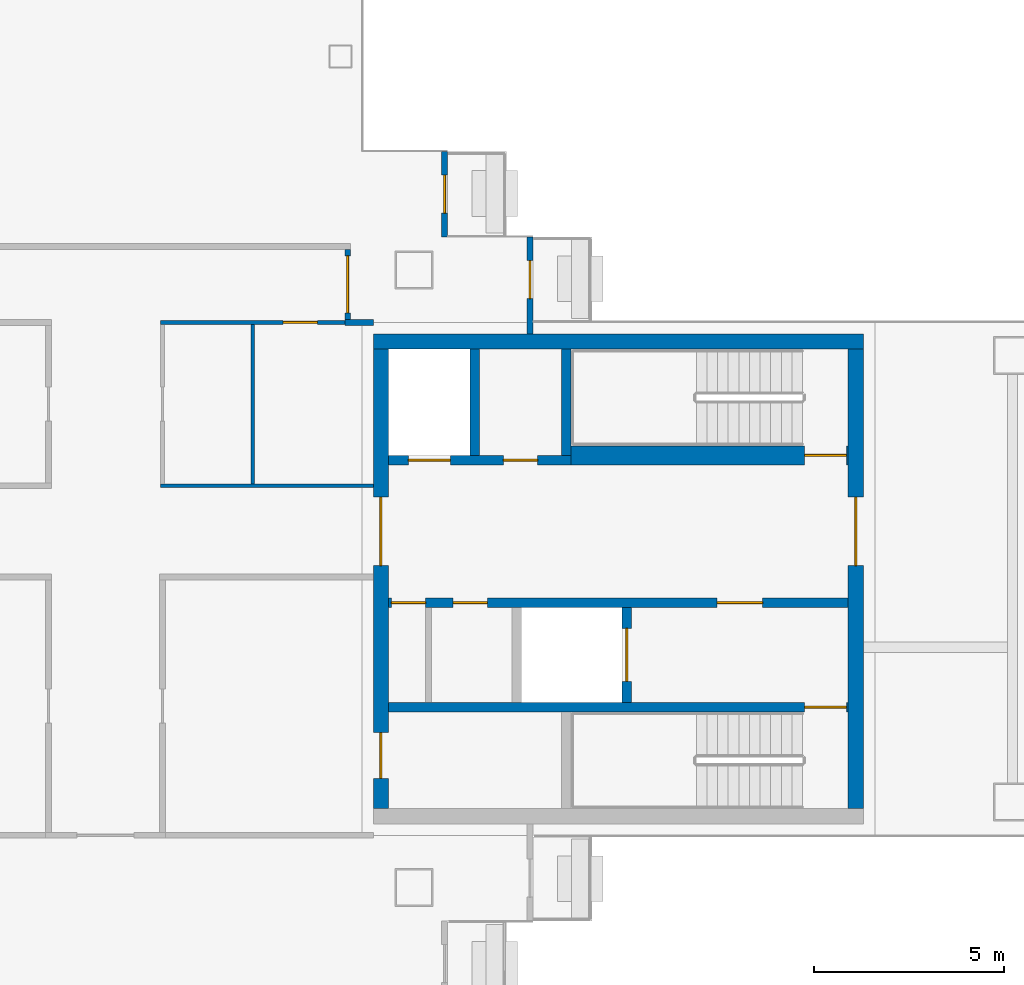
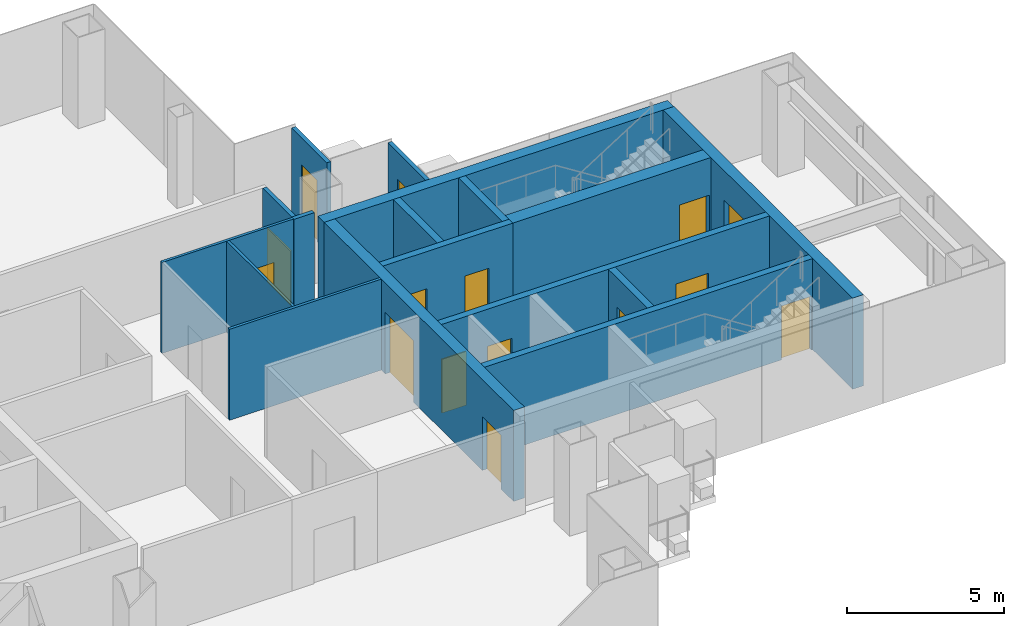
# One storey, part 12 of 16: 17 walls, 15 doors, 15 openings.
"""IFC4 building model written with IfcOpenShell, lengths in metres."""

import ifcopenshell
import ifcopenshell.guid

model = None  # the IFC model being written
_history = None  # IfcOwnerHistory: only IFC2X3 demands one
_inside = {}  # id of a spatial element -> (the spatial element, [elements in it])
_under = {}  # id of a project, library or spatial element -> (it, [spatial elements below it])
_declared = {}  # id of a project -> (the project, [libraries it declares])
_typed = {}  # id of a type object -> (the type object, [elements of that type])
_made_of = {}  # id of a material, layer set ... -> (it, [elements and type objects made of it])


def new_model(schema):
    """Start an empty IFC model of exactly this schema.

    Asked for "IFC4X3", IfcOpenShell would pick the latest addendum, in which some entities
    have other attributes; the version numbers below select the first issue.
    IFC2X3 requires an IfcOwnerHistory on every rooted entity: one is made here for all.
    """
    global model, _history
    if schema == "IFC4X3":
        model = ifcopenshell.file(schema_version=(4, 3, 0, 0))
    else:
        model = ifcopenshell.file(schema=schema)
    _inside.clear()
    _under.clear()
    _declared.clear()
    _typed.clear()
    _made_of.clear()
    _history = None
    if model.schema == "IFC2X3":
        org = make("IfcOrganization", Name="unknown")
        user = make(
            "IfcPersonAndOrganization",
            ThePerson=make("IfcPerson", FamilyName="unknown"),
            TheOrganization=org,
        )
        app = make(
            "IfcApplication",
            ApplicationDeveloper=org,
            Version="unknown",
            ApplicationFullName="unknown",
            ApplicationIdentifier="unknown",
        )
        _history = make(
            "IfcOwnerHistory",
            OwningUser=user,
            OwningApplication=app,
            ChangeAction="ADDED",
            CreationDate=0,
        )
    return model


def make(cls, **values):
    """One entity of the class cls with the attributes given. An attribute that is None is left unset."""
    return model.create_entity(
        cls, **{name: value for name, value in values.items() if value is not None}
    )


def rooted(cls, **values):
    """An entity with a GlobalId (a new one), such as an element, a storey or a relation."""
    return make(cls, GlobalId=ifcopenshell.guid.new(), OwnerHistory=_history, **values)


def si_unit(unit_type, name, prefix=None):
    """IfcSIUnit, for example si_unit("LENGTHUNIT", "METRE", prefix="MILLI")."""
    return make("IfcSIUnit", UnitType=unit_type, Prefix=prefix, Name=name)


def assignment(units):
    """IfcUnitAssignment: the units of a project."""
    return None if units is None else make("IfcUnitAssignment", Units=units)


def point(xyz):
    """IfcCartesianPoint."""
    return None if xyz is None else make("IfcCartesianPoint", Coordinates=xyz)


def direction(xyz):
    """IfcDirection."""
    return None if xyz is None else make("IfcDirection", DirectionRatios=xyz)


def frame(location, z_axis=None, x_axis=None):
    """IfcAxis2Placement3D, a coordinate frame: its origin and axes. An axis left out is left unset."""
    return make(
        "IfcAxis2Placement3D",
        Location=point(location),
        Axis=direction(z_axis),
        RefDirection=direction(x_axis),
    )


def frame_2d(location, x_axis=None):
    """IfcAxis2Placement2D, a coordinate frame in the plane: its origin and x axis."""
    return make(
        "IfcAxis2Placement2D", Location=point(location), RefDirection=direction(x_axis)
    )


def origin():
    """The frame at (0, 0, 0) with its axes left unset."""
    return frame((0.0, 0.0, 0.0))


def place(relative_to, where):
    """IfcLocalPlacement: puts the frame where relative to a parent placement (None: the world)."""
    return make(
        "IfcLocalPlacement", PlacementRelTo=relative_to, RelativePlacement=where
    )


def context(
    kind, dimensions, precision=None, world=None, true_north=None, identifier=None
):
    """IfcGeometricRepresentationContext, for example the 3D "Model" context."""
    return make(
        "IfcGeometricRepresentationContext",
        ContextIdentifier=identifier,
        ContextType=kind,
        CoordinateSpaceDimension=dimensions,
        Precision=precision,
        WorldCoordinateSystem=world,
        TrueNorth=true_north,
    )


def subcontext(parent, identifier, kind, view, scale=None):
    """IfcGeometricRepresentationSubContext, for example "Body" below "Model"."""
    return make(
        "IfcGeometricRepresentationSubContext",
        ContextIdentifier=identifier,
        ContextType=kind,
        ParentContext=parent,
        TargetScale=scale,
        TargetView=view,
    )


def project(units=None, contexts=None):
    """IfcProject with its units and contexts."""
    return rooted(
        "IfcProject",
        Name="project",
        RepresentationContexts=contexts,
        UnitsInContext=assignment(units),
    )


def spatial(cls, under=None, at=None, **own):
    """A site, building, storey or space (cls), placed at a placement, below another one or the project."""
    s = rooted(cls, ObjectPlacement=at, **own)
    if under is not None:
        _under.setdefault(under.id(), (under, []))[1].append(s)
    return s


def profile(cls, at=None, kind="AREA", **sizes):
    """A parametric profile (cls). Its sizes go by their IFC names, for example OverallWidth=200.0."""
    return make(cls, ProfileType=kind, Position=at, **sizes)


def rectangle(**sizes):
    """IfcRectangleProfileDef."""
    return profile("IfcRectangleProfileDef", **sizes)


def extrude(swept, where, along, depth):
    """IfcExtrudedAreaSolid: the profile swept, set in the frame where, extruded along a direction by depth."""
    return make(
        "IfcExtrudedAreaSolid",
        SweptArea=swept,
        Position=where,
        ExtrudedDirection=direction(along),
        Depth=depth,
    )


def shape(context_of_items, identifier, shape_type, items):
    """IfcShapeRepresentation: the items that make up one representation, for example the "Body"."""
    return make(
        "IfcShapeRepresentation",
        ContextOfItems=context_of_items,
        RepresentationIdentifier=identifier,
        RepresentationType=shape_type,
        Items=items,
    )


def material(Name=None, Category=None):
    """IfcMaterial."""
    return make("IfcMaterial", Name=Name, Category=Category)


def layer(
    of_material, thickness, ventilated=None, Name=None, Category=None, Priority=None
):
    """IfcMaterialLayer: one layer of a wall or slab, of a material (None: an air gap)."""
    return make(
        "IfcMaterialLayer",
        Material=of_material,
        LayerThickness=thickness,
        IsVentilated=ventilated,
        Name=Name,
        Category=Category,
        Priority=Priority,
    )


def layer_set(layers, Name=None):
    """IfcMaterialLayerSet."""
    return make("IfcMaterialLayerSet", MaterialLayers=layers, LayerSetName=Name)


def made_of(thing, what):
    """Note that an element or type object is made of a material, layer set ...; save() writes the relation."""
    if what is not None:
        _made_of.setdefault(what.id(), (what, []))[1].append(thing)
    return thing


def type_object(cls, material=None, **own):
    """A type object (cls), such as IfcWallType, which elements share."""
    return made_of(rooted(cls, **own), material)


def element(
    cls,
    number,
    at=None,
    inside=None,
    cuts=None,
    type_object=None,
    material=None,
    context=None,
    identifier="Body",
    shape_type=None,
    held_by="IfcProductDefinitionShape",
    body=None,
    shapes=None,
    **own,
):
    """One element of the class cls, such as IfcWall. Its Tag is "e" and its number.

    at: its placement. inside: the storey or other place that contains it. cuts: it is an
    opening in that element (IfcRelVoidsElement). A single representation is given by context,
    identifier, shape_type and body (its items); several are given by shapes. held_by: the class
    of the entity that holds the representations. save() writes the other relations.
    """
    e = rooted(cls, Tag="e%d" % number, ObjectPlacement=at, **own)
    if body is not None:
        shapes = [shape(context, identifier, shape_type, body)]
    if shapes is not None:
        e.Representation = make(held_by, Representations=shapes)
    if inside is not None:
        _inside.setdefault(inside.id(), (inside, []))[1].append(e)
    if cuts is not None:
        rooted(
            "IfcRelVoidsElement", RelatingBuildingElement=cuts, RelatedOpeningElement=e
        )
    if type_object is not None:
        _typed.setdefault(type_object.id(), (type_object, []))[1].append(e)
    return made_of(e, material)


def fill(opening, filler):
    """IfcRelFillsElement: the door or window that sits in an opening."""
    return rooted(
        "IfcRelFillsElement",
        RelatingOpeningElement=opening,
        RelatedBuildingElement=filler,
    )


def aggregate(whole, parts):
    """IfcRelAggregates: a whole, such as a stair, and the parts it consists of."""
    return rooted("IfcRelAggregates", RelatingObject=whole, RelatedObjects=parts)


def save(model, path):
    """Write the relations noted so far, then the file.

    IfcRelAggregates (storeys below a building ...), IfcRelContainedInSpatialStructure (elements
    in a storey), IfcRelDefinesByType, IfcRelAssociatesMaterial and IfcRelDeclares: one each for
    every whole, place, type object, material and project.
    """
    for whole, parts in _under.values():
        aggregate(whole, parts)
    for where, things in _inside.values():
        rooted(
            "IfcRelContainedInSpatialStructure",
            RelatedElements=things,
            RelatingStructure=where,
        )
    for kind, things in _typed.values():
        rooted("IfcRelDefinesByType", RelatedObjects=things, RelatingType=kind)
    for what, things in _made_of.values():
        rooted("IfcRelAssociatesMaterial", RelatedObjects=things, RelatingMaterial=what)
    for by, libraries in _declared.values():
        rooted("IfcRelDeclares", RelatingContext=by, RelatedDefinitions=libraries)
    model.write(path)


model = new_model("IFC4")

# Units and contexts
model_context = context("Model", 3, precision=1e-05, world=origin(), true_north=direction((0.0, 1.0)))
body_context = subcontext(model_context, "Body", "Model", "MODEL_VIEW")
ifc_project = project(units=[si_unit("LENGTHUNIT", "METRE"), si_unit("AREAUNIT", "SQUARE_METRE"), si_unit("VOLUMEUNIT", "CUBIC_METRE"), si_unit("PLANEANGLEUNIT", "RADIAN"), si_unit("MASSUNIT", "GRAM", prefix="KILO")], contexts=[model_context])

# Site, building, storey
site_placement = place(None, origin())
site = spatial("IfcSite", under=ifc_project, at=site_placement, CompositionType="ELEMENT")
building_placement = place(site_placement, origin())
building = spatial("IfcBuilding", under=site, at=building_placement, Name="Shamsa Quay Exchange Towers", CompositionType="ELEMENT")
storey_placement = place(building_placement, frame((0.0, 0.0, 210.0)))
storey = spatial("IfcBuildingStorey", under=building, at=storey_placement, Name="L50", CompositionType="ELEMENT", Elevation=210.0)

# Wall, opening, door
ifc_material_1 = material(Name="Aluminium EN AW-6063 T6, black anodised, with black enamelled glass infill", Category="aluminium")
ifc_layer_1 = layer(ifc_material_1, 0.14990234375)
ifc_layer_set_1 = layer_set([ifc_layer_1], Name="BALCONY DOOR BAY WALL 150")
wall_type_1 = type_object("IfcWallType", Name="BALCONY DOOR BAY WALL 150", PredefinedType="SOLIDWALL", material=ifc_layer_set_1)
wall_1_placement = place(storey_placement, frame((42.675048828125, 11.25, 0.0), z_axis=(0.0, 0.0, 1.0), x_axis=(0.0, -1.0, 0.0)))
wall_1 = element("IfcWall", 1, at=wall_1_placement, inside=storey, type_object=wall_type_1, Name="Door bay T2-PKES L50", PredefinedType="SOLIDWALL", context=body_context, shape_type="SweptSolid", body=[
    extrude(rectangle(XDim=2.25, YDim=0.14990234375, at=frame_2d((1.125, 0.0))), origin(), (0.0, 0.0, 1.0), 3.449951171875),
])
opening_1_placement = place(wall_1_placement, frame((0.625, 0.0, 0.0)))
opening_1 = element("IfcOpeningElement", 2, at=opening_1_placement, cuts=wall_1, Name="Opening XD331", PredefinedType="OPENING", context=body_context, shape_type="SweptSolid", body=[
    extrude(rectangle(XDim=1.0, YDim=2.39990234375, at=frame_2d((0.5, 1.199951171875))), frame((0.0, 0.0849609375, 0.0), z_axis=(0.0, -1.0, 0.0), x_axis=(1.0, 0.0, 0.0)), (0.0, 0.0, 1.0), 0.169921875),
])
ifc_material_2 = material(Name="Aluminium EN AW-6063 T6, black anodised, with laminated glass leaf", Category="aluminium")
door_type_1 = type_object("IfcDoorType", Name="BALCONY DOOR 1000x2400", OperationType="SINGLE_SWING_LEFT", PredefinedType="DOOR", material=ifc_material_2)
door_1_placement = place(opening_1_placement, origin())
door_1 = element("IfcDoor", 3, at=door_1_placement, inside=storey, type_object=door_type_1, Name="Balcony door T2-PKES L50", OperationType="SINGLE_SWING_RIGHT", OverallHeight=2.39990234375, OverallWidth=1.0, PredefinedType="DOOR", context=body_context, shape_type="SweptSolid", body=[
    extrude(rectangle(XDim=1.0, YDim=2.39990234375, at=frame_2d((0.5, 1.199951171875))), frame((0.0, 0.02490234375, 0.0), z_axis=(0.0, -1.0, 0.0), x_axis=(1.0, 0.0, 0.0)), (0.0, 0.0, 1.0), 0.050048828125),
])
fill(opening_1, door_1)

wall_2_placement = place(storey_placement, frame((44.925048828125, 9.0, 0.0), z_axis=(0.0, 0.0, 1.0), x_axis=(0.0, -1.0, 0.0)))
wall_2 = element("IfcWall", 4, at=wall_2_placement, inside=storey, type_object=wall_type_1, Name="Door bay T2-PKES L50", PredefinedType="SOLIDWALL", context=body_context, shape_type="SweptSolid", body=[
    extrude(rectangle(XDim=2.556884765625, YDim=0.14990234375, at=frame_2d((1.2783203125, 0.0))), origin(), (0.0, 0.0, 1.0), 3.449951171875),
])
opening_2_placement = place(wall_2_placement, frame((0.625, 0.0, 0.0)))
opening_2 = element("IfcOpeningElement", 5, at=opening_2_placement, cuts=wall_2, Name="Opening XD332", PredefinedType="OPENING", context=body_context, shape_type="SweptSolid", body=[
    extrude(rectangle(XDim=1.0, YDim=2.39990234375, at=frame_2d((0.5, 1.199951171875))), frame((0.0, 0.0849609375, 0.0), z_axis=(0.0, -1.0, 0.0), x_axis=(1.0, 0.0, 0.0)), (0.0, 0.0, 1.0), 0.169921875),
])
door_2_placement = place(opening_2_placement, origin())
door_2 = element("IfcDoor", 6, at=door_2_placement, inside=storey, type_object=door_type_1, Name="Balcony door T2-PKES L50", OperationType="SINGLE_SWING_LEFT", OverallHeight=2.39990234375, OverallWidth=1.0, PredefinedType="DOOR", context=body_context, shape_type="SweptSolid", body=[
    extrude(rectangle(XDim=1.0, YDim=2.39990234375, at=frame_2d((0.5, 1.199951171875))), frame((0.0, 0.02490234375, 0.0), z_axis=(0.0, -1.0, 0.0), x_axis=(1.0, 0.0, 0.0)), (0.0, 0.0, 1.0), 0.050048828125),
])
fill(opening_2, door_2)

# Wall
ifc_material_3 = material(Name="Concrete C60/75", Category="concrete")
ifc_layer_2 = layer(ifc_material_3, 0.39990234375)
ifc_layer_set_2 = layer_set([ifc_layer_2], Name="CORE WALL 400 C60/75")
wall_type_2 = type_object("IfcWallType", Name="CORE WALL 400 C60/75", PredefinedType="SHEAR", material=ifc_layer_set_2)
wall_3_placement = place(storey_placement, frame((53.699951171875, 6.25, 0.0), z_axis=(0.0, 0.0, 1.0), x_axis=(-1.0, 0.0, 0.0)))
element("IfcWall", 7, at=wall_3_placement, inside=storey, type_object=wall_type_2, Name="Core wall T2B-R23-PN", PredefinedType="SHEAR", context=body_context, shape_type="SweptSolid", body=[
    extrude(rectangle(XDim=12.89990234375, YDim=0.39990234375, at=frame_2d((6.449951171875, 0.0))), origin(), (0.0, 0.0, 1.0), 3.550048828125),
])

# Wall, opening, door
wall_4_placement = place(storey_placement, frame((53.5, -6.050048828125, 0.0), z_axis=(0.0, 0.0, 1.0), x_axis=(0.0, 1.0, 0.0)))
wall_4 = element("IfcWall", 8, at=wall_4_placement, inside=storey, type_object=wall_type_2, Name="Core wall T2B-R23-PF", PredefinedType="SHEAR", context=body_context, shape_type="SweptSolid", body=[
    extrude(rectangle(XDim=12.10009765625, YDim=0.39990234375, at=frame_2d((6.050048828125, 0.0))), origin(), (0.0, 0.0, 1.0), 3.550048828125),
])
opening_3_placement = place(wall_4_placement, frame((6.39990234375, 0.0, 0.0)))
opening_3 = element("IfcOpeningElement", 9, at=opening_3_placement, cuts=wall_4, Name="Opening T2B-R23-LBD01", PredefinedType="OPENING", context=body_context, shape_type="SweptSolid", body=[
    extrude(rectangle(XDim=1.800048828125, YDim=2.39990234375, at=frame_2d((0.89990234375, 1.199951171875))), frame((0.0, 0.2099609375, 0.0), z_axis=(0.0, -1.0, 0.0), x_axis=(1.0, 0.0, 0.0)), (0.0, 0.0, 1.0), 0.419921875),
])
ifc_material_4 = material(Name="Steel, fire rated", Category="steel")
door_type_2 = type_object("IfcDoorType", Name="LIFT LOBBY DOOR PAIR 1800", OperationType="DOUBLE_DOOR_SINGLE_SWING", PredefinedType="DOOR", material=ifc_material_4)
door_3_placement = place(opening_3_placement, origin())
door_3 = element("IfcDoor", 10, at=door_3_placement, inside=storey, type_object=door_type_2, Name="T2B-R23-LBD01", OperationType="DOUBLE_DOOR_SINGLE_SWING", OverallHeight=2.39990234375, OverallWidth=1.800048828125, PredefinedType="DOOR", context=body_context, shape_type="SweptSolid", body=[
    extrude(rectangle(XDim=1.800048828125, YDim=2.39990234375, at=frame_2d((0.89990234375, 1.199951171875))), frame((0.0, 0.02490234375, 0.0), z_axis=(0.0, -1.0, 0.0), x_axis=(1.0, 0.0, 0.0)), (0.0, 0.0, 1.0), 0.050048828125),
])
fill(opening_3, door_3)

# Wall, openings, doors
wall_5_placement = place(storey_placement, frame((41.0, -6.050048828125, 0.0), z_axis=(0.0, 0.0, 1.0), x_axis=(0.0, 1.0, 0.0)))
wall_5 = element("IfcWall", 11, at=wall_5_placement, inside=storey, type_object=wall_type_2, Name="Core wall T2B-R23-PB", PredefinedType="SHEAR", context=body_context, shape_type="SweptSolid", body=[
    extrude(rectangle(XDim=12.10009765625, YDim=0.39990234375, at=frame_2d((6.050048828125, 0.0))), origin(), (0.0, 0.0, 1.0), 3.550048828125),
])
opening_4_placement = place(wall_5_placement, frame((0.800048828125, 0.0, 0.0)))
opening_4 = element("IfcOpeningElement", 12, at=opening_4_placement, cuts=wall_5, Name="Opening T2B-R23-RD02", PredefinedType="OPENING", context=body_context, shape_type="SweptSolid", body=[
    extrude(rectangle(XDim=1.199951171875, YDim=2.10009765625, at=frame_2d((0.60009765625, 1.050048828125))), frame((0.0, 0.2099609375, 0.0), z_axis=(0.0, -1.0, 0.0), x_axis=(1.0, 0.0, 0.0)), (0.0, 0.0, 1.0), 0.419921875),
])
opening_5_placement = place(wall_5_placement, frame((6.39990234375, 0.0, 0.0)))
opening_5 = element("IfcOpeningElement", 13, at=opening_5_placement, cuts=wall_5, Name="Opening T2B-R23-LBD03", PredefinedType="OPENING", context=body_context, shape_type="SweptSolid", body=[
    extrude(rectangle(XDim=1.800048828125, YDim=2.39990234375, at=frame_2d((0.89990234375, 1.199951171875))), frame((0.0, 0.2099609375, 0.0), z_axis=(0.0, -1.0, 0.0), x_axis=(1.0, 0.0, 0.0)), (0.0, 0.0, 1.0), 0.419921875),
])
door_4_placement = place(opening_5_placement, origin())
door_4 = element("IfcDoor", 14, at=door_4_placement, inside=storey, type_object=door_type_2, Name="T2B-R23-LBD03", OperationType="DOUBLE_DOOR_SINGLE_SWING", OverallHeight=2.39990234375, OverallWidth=1.800048828125, PredefinedType="DOOR", context=body_context, shape_type="SweptSolid", body=[
    extrude(rectangle(XDim=1.800048828125, YDim=2.39990234375, at=frame_2d((0.89990234375, 1.199951171875))), frame((0.0, 0.02490234375, 0.0), z_axis=(0.0, -1.0, 0.0), x_axis=(1.0, 0.0, 0.0)), (0.0, 0.0, 1.0), 0.050048828125),
])
fill(opening_5, door_4)
door_type_3 = type_object("IfcDoorType", Name="RISER ACCESS DOOR 1200", OperationType="SINGLE_SWING_LEFT", PredefinedType="DOOR", material=ifc_material_4)
door_5_placement = place(opening_4_placement, origin())
door_5 = element("IfcDoor", 15, at=door_5_placement, inside=storey, type_object=door_type_3, Name="T2B-R23-RD02", OperationType="SINGLE_SWING_LEFT", OverallHeight=2.10009765625, OverallWidth=1.199951171875, PredefinedType="DOOR", context=body_context, shape_type="SweptSolid", body=[
    extrude(rectangle(XDim=1.199951171875, YDim=2.10009765625, at=frame_2d((0.60009765625, 1.050048828125))), frame((0.0, 0.02490234375, 0.0), z_axis=(0.0, -1.0, 0.0), x_axis=(1.0, 0.0, 0.0)), (0.0, 0.0, 1.0), 0.050048828125),
])
fill(opening_4, door_5)

# Wall
ifc_material_5 = material(Name="Gypsum board partition on metal studs")
ifc_layer_3 = layer(ifc_material_5, 0.10009765625)
ifc_layer_set_3 = layer_set([ifc_layer_3], Name="Partition 100 mm NOT RATED")
wall_type_3 = type_object("IfcWallType", Name="Partition 100 mm NOT RATED", PredefinedType="PARTITIONING", material=ifc_layer_set_3)
wall_6_placement = place(storey_placement, frame((35.199951171875, 2.4501953125, 0.0)))
element("IfcWall", 16, at=wall_6_placement, inside=storey, type_object=wall_type_3, Name="Partition T2-R23-W08", PredefinedType="PARTITIONING", context=body_context, shape_type="SweptSolid", body=[
    extrude(rectangle(XDim=5.60009765625, YDim=0.10009765625, at=frame_2d((2.800048828125, 0.0))), origin(), (0.0, 0.0, 1.0), 3.550048828125),
])

# Wall, opening, door
wall_7_placement = place(storey_placement, frame((40.199951171875, 6.75, 0.0), z_axis=(0.0, 0.0, 1.0), x_axis=(-1.0, 0.0, 0.0)))
wall_7 = element("IfcWall", 17, at=wall_7_placement, inside=storey, type_object=wall_type_3, Name="Partition T2-R23-W09", PredefinedType="PARTITIONING", context=body_context, shape_type="SweptSolid", body=[
    extrude(rectangle(XDim=5.0, YDim=0.10009765625, at=frame_2d((2.5, 0.0))), origin(), (0.0, 0.0, 1.0), 3.550048828125),
])
opening_6_placement = place(wall_7_placement, frame((0.875, 0.0, 0.0)))
opening_6 = element("IfcOpeningElement", 18, at=opening_6_placement, cuts=wall_7, Name="Opening T2-R23-D04", PredefinedType="OPENING", context=body_context, shape_type="SweptSolid", body=[
    extrude(rectangle(XDim=0.89990234375, YDim=2.10009765625, at=frame_2d((0.449951171875, 1.050048828125))), frame((0.0, 0.06005859375, 0.0), z_axis=(0.0, -1.0, 0.0), x_axis=(1.0, 0.0, 0.0)), (0.0, 0.0, 1.0), 0.1201171875),
])
ifc_material_6 = material(Name="Timber door leaf in a metal frame", Category="wood")
door_type_4 = type_object("IfcDoorType", Name="Door 900x2100 NOT RATED", OperationType="NOTDEFINED", PredefinedType="DOOR", material=ifc_material_6)
door_6_placement = place(opening_6_placement, origin())
door_6 = element("IfcDoor", 19, at=door_6_placement, inside=storey, type_object=door_type_4, Name="Door T2-R23-D04", OperationType="SINGLE_SWING_RIGHT", OverallHeight=2.10009765625, OverallWidth=0.89990234375, PredefinedType="DOOR", context=body_context, shape_type="SweptSolid", body=[
    extrude(rectangle(XDim=0.89990234375, YDim=2.10009765625, at=frame_2d((0.449951171875, 1.050048828125))), frame((0.0, 0.02490234375, 0.0), z_axis=(0.0, -1.0, 0.0), x_axis=(1.0, 0.0, 0.0)), (0.0, 0.0, 1.0), 0.050048828125),
])
fill(opening_6, door_6)

# Walls
wall_8_placement = place(storey_placement, frame((37.625, 6.699951171875, 0.0), z_axis=(0.0, 0.0, 1.0), x_axis=(0.0, -1.0, 0.0)))
element("IfcWall", 20, at=wall_8_placement, inside=storey, type_object=wall_type_3, Name="Partition T2-R23-W18", PredefinedType="PARTITIONING", context=body_context, shape_type="SweptSolid", body=[
    extrude(rectangle(XDim=4.19970703125, YDim=0.10009765625, at=frame_2d((2.099853515625, 0.0))), origin(), (0.0, 0.0, 1.0), 3.550048828125),
])
ifc_layer_4 = layer(ifc_material_5, 0.14990234375)
ifc_layer_set_4 = layer_set([ifc_layer_4], Name="Partition 150 mm EI 60")
wall_type_4 = type_object("IfcWallType", Name="Partition 150 mm EI 60", PredefinedType="PARTITIONING", material=ifc_layer_set_4)
wall_9_placement = place(storey_placement, frame((40.800048828125, 6.75, 0.0), z_axis=(0.0, 0.0, 1.0), x_axis=(-1.0, 0.0, 0.0)))
element("IfcWall", 21, at=wall_9_placement, inside=storey, type_object=wall_type_4, Name="Partition T2-R23-W02", PredefinedType="PARTITIONING", context=body_context, shape_type="SweptSolid", body=[
    extrude(rectangle(XDim=0.75, YDim=0.14990234375, at=frame_2d((0.375, 0.0))), origin(), (0.0, 0.0, 1.0), 3.550048828125),
])

# Wall, opening, door
wall_10_placement = place(storey_placement, frame((40.125, 6.824951171875, 0.0), z_axis=(0.0, 0.0, 1.0), x_axis=(0.0, 1.0, 0.0)))
wall_10 = element("IfcWall", 22, at=wall_10_placement, inside=storey, type_object=wall_type_4, Name="Partition T2-R23-W12", PredefinedType="PARTITIONING", context=body_context, shape_type="SweptSolid", body=[
    extrude(rectangle(XDim=1.85009765625, YDim=0.14990234375, at=frame_2d((0.925048828125, 0.0))), origin(), (0.0, 0.0, 1.0), 3.550048828125),
])
opening_7_placement = place(wall_10_placement, frame((0.175048828125, 0.0, 0.0)))
opening_7 = element("IfcOpeningElement", 23, at=opening_7_placement, cuts=wall_10, Name="Opening T2-R23-D01", PredefinedType="OPENING", context=body_context, shape_type="SweptSolid", body=[
    extrude(rectangle(XDim=1.5, YDim=2.10009765625, at=frame_2d((0.75, 1.050048828125))), frame((0.0, 0.0849609375, 0.0), z_axis=(0.0, -1.0, 0.0), x_axis=(1.0, 0.0, 0.0)), (0.0, 0.0, 1.0), 0.169921875),
])
door_type_5 = type_object("IfcDoorType", Name="Door 1500x2100 FD30S pair", OperationType="NOTDEFINED", PredefinedType="DOOR", material=ifc_material_6)
door_7_placement = place(opening_7_placement, origin())
door_7 = element("IfcDoor", 24, at=door_7_placement, inside=storey, type_object=door_type_5, Name="Door T2-R23-D01", OperationType="DOUBLE_DOOR_SINGLE_SWING", OverallHeight=2.10009765625, OverallWidth=1.5, PredefinedType="DOOR", context=body_context, shape_type="SweptSolid", body=[
    extrude(rectangle(XDim=1.5, YDim=2.10009765625, at=frame_2d((0.75, 1.050048828125))), frame((0.0, 0.02490234375, 0.0), z_axis=(0.0, -1.0, 0.0), x_axis=(1.0, 0.0, 0.0)), (0.0, 0.0, 1.0), 0.050048828125),
])
fill(opening_7, door_7)

ifc_material_7 = material(Name="Concrete C50/60", Category="concrete")
ifc_layer_5 = layer(ifc_material_7, 0.25)
ifc_layer_set_5 = layer_set([ifc_layer_5], Name="SHAFT WALL 250 C50/60")
wall_type_5 = type_object("IfcWallType", Name="SHAFT WALL 250 C50/60", PredefinedType="SHEAR", material=ifc_layer_set_5)
wall_11_placement = place(storey_placement, frame((53.300048828125, -3.375, 0.0), z_axis=(0.0, 0.0, 1.0), x_axis=(-1.0, 0.0, 0.0)))
wall_11 = element("IfcWall", 25, at=wall_11_placement, inside=storey, type_object=wall_type_5, Name="Shaft wall T2B-R23-STL", PredefinedType="SHEAR", context=body_context, shape_type="SweptSolid", body=[
    extrude(rectangle(XDim=12.10009765625, YDim=0.25, at=frame_2d((6.050048828125, 0.0))), origin(), (0.0, 0.0, 1.0), 3.550048828125),
])
opening_8_placement = place(wall_11_placement, frame((0.050048828125, 0.0, 0.0)))
opening_8 = element("IfcOpeningElement", 26, at=opening_8_placement, cuts=wall_11, Name="Opening T2B-R23-SD04", PredefinedType="OPENING", context=body_context, shape_type="SweptSolid", body=[
    extrude(rectangle(XDim=1.10009765625, YDim=2.10009765625, at=frame_2d((0.550048828125, 1.050048828125))), frame((0.0, 0.135009765625, 0.0), z_axis=(0.0, -1.0, 0.0), x_axis=(1.0, 0.0, 0.0)), (0.0, 0.0, 1.0), 0.27001953125),
])
door_type_6 = type_object("IfcDoorType", Name="STAIR DOOR 1100", OperationType="SINGLE_SWING_LEFT", PredefinedType="DOOR", material=ifc_material_4)
door_8_placement = place(opening_8_placement, origin())
door_8 = element("IfcDoor", 27, at=door_8_placement, inside=storey, type_object=door_type_6, Name="T2B-R23-SD04", OperationType="SINGLE_SWING_LEFT", OverallHeight=2.10009765625, OverallWidth=1.10009765625, PredefinedType="DOOR", context=body_context, shape_type="SweptSolid", body=[
    extrude(rectangle(XDim=1.10009765625, YDim=2.10009765625, at=frame_2d((0.550048828125, 1.050048828125))), frame((0.0, 0.02490234375, 0.0), z_axis=(0.0, -1.0, 0.0), x_axis=(1.0, 0.0, 0.0)), (0.0, 0.0, 1.0), 0.050048828125),
])
fill(opening_8, door_8)

# Wall, openings, doors
wall_12_placement = place(storey_placement, frame((53.300048828125, -0.625, 0.0), z_axis=(0.0, 0.0, 1.0), x_axis=(-1.0, 0.0, 0.0)))
wall_12 = element("IfcWall", 28, at=wall_12_placement, inside=storey, type_object=wall_type_5, Name="Shaft wall T2B-R23-B", PredefinedType="SHEAR", context=body_context, shape_type="SweptSolid", body=[
    extrude(rectangle(XDim=12.10009765625, YDim=0.25, at=frame_2d((6.050048828125, 0.0))), origin(), (0.0, 0.0, 1.0), 3.550048828125),
])
opening_9_placement = place(wall_12_placement, frame((2.25, 0.0, 0.0)))
opening_9 = element("IfcOpeningElement", 29, at=opening_9_placement, cuts=wall_12, Name="Opening T2B-R23-FD05", PredefinedType="OPENING", context=body_context, shape_type="SweptSolid", body=[
    extrude(rectangle(XDim=1.199951171875, YDim=2.10009765625, at=frame_2d((0.60009765625, 1.050048828125))), frame((0.0, 0.135009765625, 0.0), z_axis=(0.0, -1.0, 0.0), x_axis=(1.0, 0.0, 0.0)), (0.0, 0.0, 1.0), 0.27001953125),
])
opening_10_placement = place(wall_12_placement, frame((9.5, 0.0, 0.0)))
opening_10 = element("IfcOpeningElement", 30, at=opening_10_placement, cuts=wall_12, Name="Opening T2B-R23-SV06", PredefinedType="OPENING", context=body_context, shape_type="SweptSolid", body=[
    extrude(rectangle(XDim=0.89990234375, YDim=2.10009765625, at=frame_2d((0.449951171875, 1.050048828125))), frame((0.0, 0.135009765625, 0.0), z_axis=(0.0, -1.0, 0.0), x_axis=(1.0, 0.0, 0.0)), (0.0, 0.0, 1.0), 0.27001953125),
])
opening_11_placement = place(wall_12_placement, frame((11.125, 0.0, 0.0)))
opening_11 = element("IfcOpeningElement", 31, at=opening_11_placement, cuts=wall_12, Name="Opening T2B-R23-SV07", PredefinedType="OPENING", context=body_context, shape_type="SweptSolid", body=[
    extrude(rectangle(XDim=0.89990234375, YDim=2.10009765625, at=frame_2d((0.449951171875, 1.050048828125))), frame((0.0, 0.135009765625, 0.0), z_axis=(0.0, -1.0, 0.0), x_axis=(1.0, 0.0, 0.0)), (0.0, 0.0, 1.0), 0.27001953125),
])
door_type_7 = type_object("IfcDoorType", Name="FIRE SERVICE LOBBY DOOR 1200", OperationType="SINGLE_SWING_LEFT", PredefinedType="DOOR", material=ifc_material_4)
door_9_placement = place(opening_9_placement, origin())
door_9 = element("IfcDoor", 32, at=door_9_placement, inside=storey, type_object=door_type_7, Name="T2B-R23-FD05", OperationType="SINGLE_SWING_LEFT", OverallHeight=2.10009765625, OverallWidth=1.199951171875, PredefinedType="DOOR", context=body_context, shape_type="SweptSolid", body=[
    extrude(rectangle(XDim=1.199951171875, YDim=2.10009765625, at=frame_2d((0.60009765625, 1.050048828125))), frame((0.0, 0.02490234375, 0.0), z_axis=(0.0, -1.0, 0.0), x_axis=(1.0, 0.0, 0.0)), (0.0, 0.0, 1.0), 0.050048828125),
])
fill(opening_9, door_9)
door_type_8 = type_object("IfcDoorType", Name="SERVICE ROOM DOOR 900", OperationType="SINGLE_SWING_LEFT", PredefinedType="DOOR", material=ifc_material_4)
door_10_placement = place(opening_10_placement, origin())
door_10 = element("IfcDoor", 33, at=door_10_placement, inside=storey, type_object=door_type_8, Name="T2B-R23-SV06", OperationType="SINGLE_SWING_RIGHT", OverallHeight=2.10009765625, OverallWidth=0.89990234375, PredefinedType="DOOR", context=body_context, shape_type="SweptSolid", body=[
    extrude(rectangle(XDim=0.89990234375, YDim=2.10009765625, at=frame_2d((0.449951171875, 1.050048828125))), frame((0.0, 0.02490234375, 0.0), z_axis=(0.0, -1.0, 0.0), x_axis=(1.0, 0.0, 0.0)), (0.0, 0.0, 1.0), 0.050048828125),
])
fill(opening_10, door_10)
door_11_placement = place(opening_11_placement, origin())
door_11 = element("IfcDoor", 34, at=door_11_placement, inside=storey, type_object=door_type_8, Name="T2B-R23-SV07", OperationType="SINGLE_SWING_RIGHT", OverallHeight=2.10009765625, OverallWidth=0.89990234375, PredefinedType="DOOR", context=body_context, shape_type="SweptSolid", body=[
    extrude(rectangle(XDim=0.89990234375, YDim=2.10009765625, at=frame_2d((0.449951171875, 1.050048828125))), frame((0.0, 0.02490234375, 0.0), z_axis=(0.0, -1.0, 0.0), x_axis=(1.0, 0.0, 0.0)), (0.0, 0.0, 1.0), 0.050048828125),
])
fill(opening_11, door_11)

# Wall, opening, door
wall_13_placement = place(storey_placement, frame((47.47509765625, -3.25, 0.0), z_axis=(0.0, 0.0, 1.0), x_axis=(0.0, 1.0, 0.0)))
wall_13 = element("IfcWall", 35, at=wall_13_placement, inside=storey, type_object=wall_type_5, Name="Shaft wall T2B-R23-FFF", PredefinedType="SHEAR", context=body_context, shape_type="SweptSolid", body=[
    extrude(rectangle(XDim=2.5, YDim=0.25, at=frame_2d((1.25, 0.0))), origin(), (0.0, 0.0, 1.0), 3.550048828125),
])
opening_12_placement = place(wall_13_placement, frame((0.550048828125, 0.0, 0.0)))
opening_12 = element("IfcOpeningElement", 36, at=opening_12_placement, cuts=wall_13, Name="Opening T2B-R23-LDG08", PredefinedType="OPENING", context=body_context, shape_type="SweptSolid", body=[
    extrude(rectangle(XDim=1.39990234375, YDim=2.39990234375, at=frame_2d((0.699951171875, 1.199951171875))), frame((0.0, 0.135009765625, 0.0), z_axis=(0.0, -1.0, 0.0), x_axis=(1.0, 0.0, 0.0)), (0.0, 0.0, 1.0), 0.27001953125),
])
door_type_9 = type_object("IfcDoorType", Name="GOODS LIFT LANDING DOOR 1400", OperationType="SLIDING_TO_LEFT", PredefinedType="DOOR", material=ifc_material_4)
door_12_placement = place(opening_12_placement, origin())
door_12 = element("IfcDoor", 37, at=door_12_placement, inside=storey, type_object=door_type_9, Name="T2B-R23-LDG08", OperationType="SLIDING_TO_LEFT", OverallHeight=2.39990234375, OverallWidth=1.39990234375, PredefinedType="DOOR", context=body_context, shape_type="SweptSolid", body=[
    extrude(rectangle(XDim=1.39990234375, YDim=2.39990234375, at=frame_2d((0.699951171875, 1.199951171875))), frame((0.0, 0.02490234375, 0.0), z_axis=(0.0, -1.0, 0.0), x_axis=(1.0, 0.0, 0.0)), (0.0, 0.0, 1.0), 0.050048828125),
])
fill(opening_12, door_12)

# Wall, openings, doors
wall_14_placement = place(storey_placement, frame((41.199951171875, 3.125, 0.0)))
wall_14 = element("IfcWall", 38, at=wall_14_placement, inside=storey, type_object=wall_type_5, Name="Shaft wall T2B-R23-N2", PredefinedType="SHEAR", context=body_context, shape_type="SweptSolid", body=[
    extrude(rectangle(XDim=4.800048828125, YDim=0.25, at=frame_2d((2.39990234375, 0.0))), origin(), (0.0, 0.0, 1.0), 3.550048828125),
])
opening_13_placement = place(wall_14_placement, frame((0.52490234375, 0.0, 0.0)))
opening_13 = element("IfcOpeningElement", 39, at=opening_13_placement, cuts=wall_14, Name="Opening T2B-R23-LD10", PredefinedType="OPENING", context=body_context, shape_type="SweptSolid", body=[
    extrude(rectangle(XDim=1.10009765625, YDim=2.10009765625, at=frame_2d((0.550048828125, 1.050048828125))), frame((0.0, 0.135009765625, 0.0), z_axis=(0.0, -1.0, 0.0), x_axis=(1.0, 0.0, 0.0)), (0.0, 0.0, 1.0), 0.27001953125),
])
opening_14_placement = place(wall_14_placement, frame((3.02490234375, 0.0, 0.0)))
opening_14 = element("IfcOpeningElement", 40, at=opening_14_placement, cuts=wall_14, Name="Opening T2B-R23-SV11", PredefinedType="OPENING", context=body_context, shape_type="SweptSolid", body=[
    extrude(rectangle(XDim=0.89990234375, YDim=2.10009765625, at=frame_2d((0.449951171875, 1.050048828125))), frame((0.0, 0.135009765625, 0.0), z_axis=(0.0, -1.0, 0.0), x_axis=(1.0, 0.0, 0.0)), (0.0, 0.0, 1.0), 0.27001953125),
])
door_type_10 = type_object("IfcDoorType", Name="LANDING DOOR 1100", OperationType="SLIDING_TO_LEFT", PredefinedType="DOOR", material=ifc_material_4)
door_13_placement = place(opening_13_placement, origin())
door_13 = element("IfcDoor", 41, at=door_13_placement, inside=storey, type_object=door_type_10, Name="T2B-R23-LD10", OperationType="SLIDING_TO_LEFT", OverallHeight=2.10009765625, OverallWidth=1.10009765625, PredefinedType="DOOR", context=body_context, shape_type="SweptSolid", body=[
    extrude(rectangle(XDim=1.10009765625, YDim=2.10009765625, at=frame_2d((0.550048828125, 1.050048828125))), frame((0.0, 0.02490234375, 0.0), z_axis=(0.0, -1.0, 0.0), x_axis=(1.0, 0.0, 0.0)), (0.0, 0.0, 1.0), 0.050048828125),
])
fill(opening_13, door_13)
door_14_placement = place(opening_14_placement, origin())
door_14 = element("IfcDoor", 42, at=door_14_placement, inside=storey, type_object=door_type_8, Name="T2B-R23-SV11", OperationType="SINGLE_SWING_RIGHT", OverallHeight=2.10009765625, OverallWidth=0.89990234375, PredefinedType="DOOR", context=body_context, shape_type="SweptSolid", body=[
    extrude(rectangle(XDim=0.89990234375, YDim=2.10009765625, at=frame_2d((0.449951171875, 1.050048828125))), frame((0.0, 0.02490234375, 0.0), z_axis=(0.0, -1.0, 0.0), x_axis=(1.0, 0.0, 0.0)), (0.0, 0.0, 1.0), 0.050048828125),
])
fill(opening_14, door_14)

# Walls
for number, where, z_axis, x_axis, name in (
    (43, (45.875, 3.25, 0.0), (0.0, 0.0, 1.0), (0.0, 1.0, 0.0), "Shaft wall T2B-R23-STF2"),
    (44, (43.47509765625, 3.25, 0.0), (0.0, 0.0, 1.0), (0.0, 1.0, 0.0), "Shaft wall T2B-R23-D0"),
):
    element("IfcWall", number, at=place(storey_placement, frame(where, z_axis=z_axis, x_axis=x_axis)), inside=storey, type_object=wall_type_5, Name=name, PredefinedType="SHEAR", context=body_context, shape_type="SweptSolid", body=[
        extrude(rectangle(XDim=2.800048828125, YDim=0.25, at=frame_2d((1.39990234375, 0.0))), origin(), (0.0, 0.0, 1.0), 3.550048828125),
    ])

# Wall, opening, door
ifc_layer_6 = layer(ifc_material_7, 0.5)
ifc_layer_set_6 = layer_set([ifc_layer_6], Name="SHAFT WALL 500 C50/60")
wall_type_6 = type_object("IfcWallType", Name="SHAFT WALL 500 C50/60", PredefinedType="SHEAR", material=ifc_layer_set_6)
wall_15_placement = place(storey_placement, frame((46.0, 3.25, 0.0)))
wall_15 = element("IfcWall", 45, at=wall_15_placement, inside=storey, type_object=wall_type_6, Name="Shaft wall T2B-R23-N", PredefinedType="SHEAR", context=body_context, shape_type="SweptSolid", body=[
    extrude(rectangle(XDim=7.300048828125, YDim=0.5, at=frame_2d((3.64990234375, 0.0))), origin(), (0.0, 0.0, 1.0), 3.550048828125),
])
opening_15_placement = place(wall_15_placement, frame((6.14990234375, 0.0, 0.0)))
opening_15 = element("IfcOpeningElement", 46, at=opening_15_placement, cuts=wall_15, Name="Opening T2B-R23-SD09", PredefinedType="OPENING", context=body_context, shape_type="SweptSolid", body=[
    extrude(rectangle(XDim=1.10009765625, YDim=2.10009765625, at=frame_2d((0.550048828125, 1.050048828125))), frame((0.0, 0.260009765625, 0.0), z_axis=(0.0, -1.0, 0.0), x_axis=(1.0, 0.0, 0.0)), (0.0, 0.0, 1.0), 0.52001953125),
])
door_15_placement = place(opening_15_placement, origin())
door_15 = element("IfcDoor", 47, at=door_15_placement, inside=storey, type_object=door_type_6, Name="T2B-R23-SD09", OperationType="SINGLE_SWING_RIGHT", OverallHeight=2.10009765625, OverallWidth=1.10009765625, PredefinedType="DOOR", context=body_context, shape_type="SweptSolid", body=[
    extrude(rectangle(XDim=1.10009765625, YDim=2.10009765625, at=frame_2d((0.550048828125, 1.050048828125))), frame((0.0, 0.02490234375, 0.0), z_axis=(0.0, -1.0, 0.0), x_axis=(1.0, 0.0, 0.0)), (0.0, 0.0, 1.0), 0.050048828125),
])
fill(opening_15, door_15)

save(model, "model.ifc")
